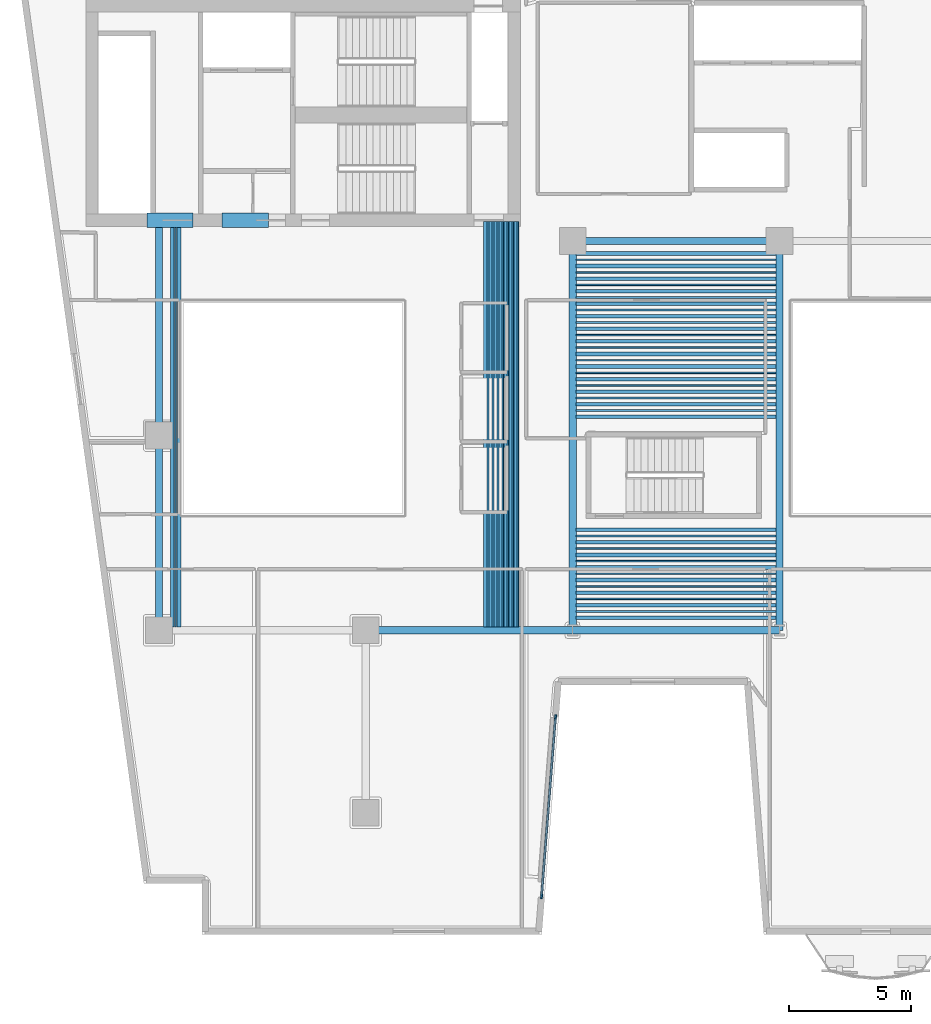
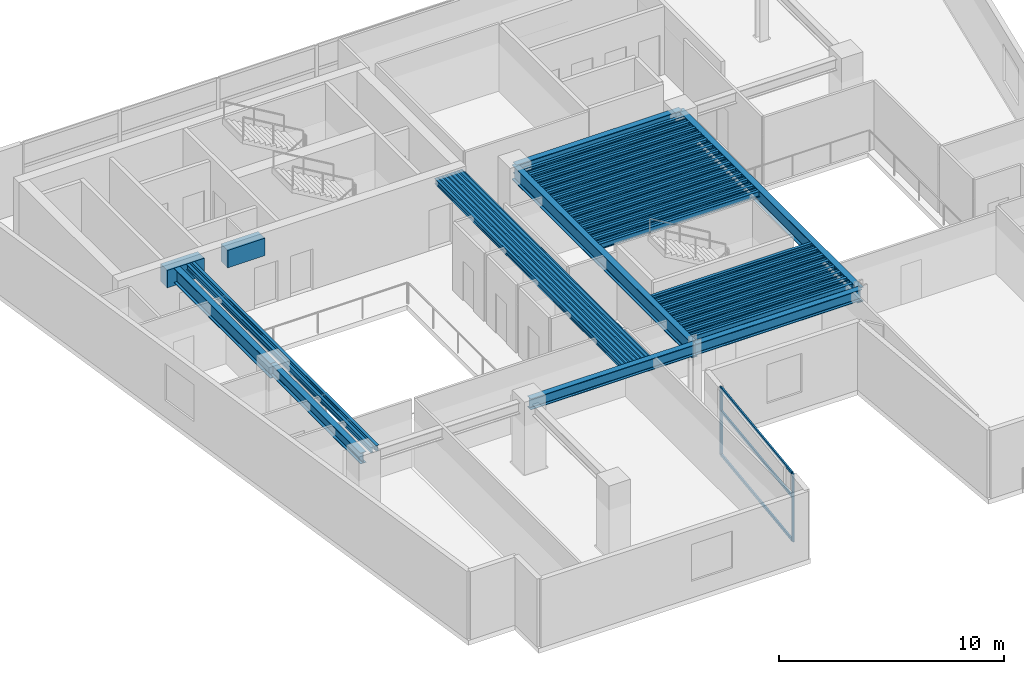
# One storey, part 2 of 13: 68 beams, 5 members, 1 element without a shape of its own.
"""IFC4 building model written with IfcOpenShell, lengths in metres."""

from ifc_helpers import new_model, si_unit, direction, frame, origin, origin_2d, place, context, subcontext, project, spatial, rectangle, hollow_rectangle, i_section, extrude, material, layer, layer_set, material_profile, profile_set, type_object, element, aggregate, save


model = new_model("IFC4")

# Units and contexts
model_context = context("Model", 3, precision=1e-05, world=origin(), true_north=direction((0.0, 1.0)))
body_context = subcontext(model_context, "Body", "Model", "MODEL_VIEW")
ifc_project = project(units=[si_unit("LENGTHUNIT", "METRE"), si_unit("AREAUNIT", "SQUARE_METRE"), si_unit("VOLUMEUNIT", "CUBIC_METRE"), si_unit("PLANEANGLEUNIT", "RADIAN"), si_unit("MASSUNIT", "GRAM", prefix="KILO")], contexts=[model_context])

# Site, building, storey
site_placement = place(None, origin())
site = spatial("IfcSite", under=ifc_project, at=site_placement, CompositionType="ELEMENT")
building_placement = place(site_placement, origin())
building = spatial("IfcBuilding", under=site, at=building_placement, Name="Caeloran Harvest Quay", CompositionType="ELEMENT")
storey_placement = place(building_placement, frame((0.0, 0.0, 131.14990234375)))
storey = spatial("IfcBuildingStorey", under=building, at=storey_placement, Name="L30", CompositionType="ELEMENT", Elevation=131.14990234375)

# Beams
ifc_material_1 = material(Name="Concrete C60/75", Category="concrete")
ifc_material_profile_1 = material_profile(ifc_material_1, rectangle(XDim=0.60009765625, YDim=0.949951171875, at=origin_2d()), Name="RC 600x950")
ifc_profile_set_1 = profile_set([ifc_material_profile_1], Name="Concrete C60/75")
beam_type_1 = type_object("IfcBeamType", Name="BM-CB-2-RC_600x950", PredefinedType="LINTEL", material=ifc_profile_set_1)
for number, where, z_axis, x_axis, name in (
    (1, (8.0, 31.85009765625, 3.215087890625), (1.0, 0.0, 0.0), (0.0, 1.0, 0.0), "L30 Core Coupling Beam 1"),
    (2, (11.10009765625, 31.85009765625, 3.215087890625), (1.0, 0.0, 0.0), (0.0, 1.0, 0.0), "L30 Core Coupling Beam 2"),
):
    element("IfcBeam", number, at=place(storey_placement, frame(where, z_axis=z_axis, x_axis=x_axis)), inside=storey, type_object=beam_type_1, Name=name, PredefinedType="LINTEL", context=body_context, shape_type="SweptSolid", body=[
        extrude(rectangle(XDim=0.60009765625, YDim=0.949951171875, at=origin_2d()), origin(), (0.0, 0.0, 1.0), 1.89990234375),
    ])
ifc_material_2 = material(Name="Steel S355J2", Category="steel")
ifc_material_profile_2 = material_profile(ifc_material_2, i_section(OverallWidth=0.300048828125, OverallDepth=0.800048828125, WebThickness=0.017578125, FlangeThickness=0.032958984375, FilletRadius=0.030029296875, at=origin_2d()), Name="HE 800 B")
ifc_profile_set_2 = profile_set([ifc_material_profile_2], Name="Steel S355J2")
beam_type_2 = type_object("IfcBeamType", Name="BM-PG-1-HE_800_B", PredefinedType="BEAM", material=ifc_profile_set_2)
beam_1_placement = place(storey_placement, frame((8.5, 23.0, 3.2900390625), z_axis=(0.0, 1.0, 0.0), x_axis=(-1.0, 0.0, 0.0)))
element("IfcBeam", 3, at=beam_1_placement, inside=storey, type_object=beam_type_2, Name="L30 Core South Tie Girder X=8.5", PredefinedType="BEAM", context=body_context, shape_type="SweptSolid", body=[
    extrude(i_section(OverallWidth=0.300048828125, OverallDepth=0.800048828125, WebThickness=0.017578125, FlangeThickness=0.032958984375, FilletRadius=0.030029296875, at=origin_2d()), origin(), (0.0, 0.0, 1.0), 8.800048828125),
])
for number, where, z_axis, x_axis, name in (
    (4, (25.5, 15.0, 3.2900390625), (0.0, 1.0, 0.0), (-1.0, 0.0, 0.0), "L30 Primary North-South Girder X=25.5"),
    (5, (34.0, 15.0, 3.2900390625), (0.0, 1.0, 0.0), (-1.0, 0.0, 0.0), "L30 Primary North-South Girder X=34.0"),
):
    element("IfcBeam", number, at=place(storey_placement, frame(where, z_axis=z_axis, x_axis=x_axis)), inside=storey, type_object=beam_type_2, Name=name, PredefinedType="BEAM", context=body_context, shape_type="SweptSolid", body=[
        extrude(i_section(OverallWidth=0.300048828125, OverallDepth=0.800048828125, WebThickness=0.017578125, FlangeThickness=0.032958984375, FilletRadius=0.030029296875, at=origin_2d()), origin(), (0.0, 0.0, 1.0), 16.0),
    ])
ifc_material_profile_3 = material_profile(ifc_material_2, i_section(OverallWidth=0.300048828125, OverallDepth=0.60009765625, WebThickness=0.015380859375, FlangeThickness=0.030029296875, FilletRadius=0.027099609375, at=origin_2d()), Name="HE 600 B")
ifc_profile_set_3 = profile_set([ifc_material_profile_3], Name="Steel S355J2")
beam_type_3 = type_object("IfcBeamType", Name="BM-PG-3-HE_600_B", PredefinedType="BEAM", material=ifc_profile_set_3)
for number, where, z_axis, x_axis, name in (
    (6, (17.0, 15.0, 3.39013671875), (1.0, 0.0, 0.0), (0.0, 1.0, 0.0), "L30 Primary East-West Girder Y=15.0"),
    (7, (25.5, 15.0, 3.39013671875), (1.0, 0.0, 0.0), (0.0, 1.0, 0.0), "L30 Primary East-West Girder Y=15.0"),
    (8, (25.5, 31.0, 3.39013671875), (1.0, 0.0, 0.0), (0.0, 1.0, 0.0), "L30 Primary East-West Girder Y=31.0"),
):
    element("IfcBeam", number, at=place(storey_placement, frame(where, z_axis=z_axis, x_axis=x_axis)), inside=storey, type_object=beam_type_3, Name=name, PredefinedType="BEAM", context=body_context, shape_type="SweptSolid", body=[
        extrude(i_section(OverallWidth=0.300048828125, OverallDepth=0.60009765625, WebThickness=0.015380859375, FlangeThickness=0.030029296875, FilletRadius=0.027099609375, at=origin_2d()), origin(), (0.0, 0.0, 1.0), 8.5),
    ])
beam_2_placement = place(storey_placement, frame((8.5, 15.0, 3.39013671875), z_axis=(0.0, 1.0, 0.0), x_axis=(-1.0, 0.0, 0.0)))
element("IfcBeam", 9, at=beam_2_placement, inside=storey, type_object=beam_type_3, Name="L30 Primary North-South Girder X=8.5", PredefinedType="BEAM", context=body_context, shape_type="SweptSolid", body=[
    extrude(i_section(OverallWidth=0.300048828125, OverallDepth=0.60009765625, WebThickness=0.015380859375, FlangeThickness=0.030029296875, FilletRadius=0.027099609375, at=origin_2d()), origin(), (0.0, 0.0, 1.0), 8.0),
])
ifc_material_profile_4 = material_profile(ifc_material_2, i_section(OverallWidth=0.14990234375, OverallDepth=0.300048828125, WebThickness=0.007080078125, FlangeThickness=0.0107421875, FilletRadius=0.014892578125, at=origin_2d()), Name="IPE 300")
ifc_profile_set_4 = profile_set([ifc_material_profile_4], Name="Steel S355J2")
beam_type_4 = type_object("IfcBeamType", Name="BM-SB-6-IPE_300", PredefinedType="JOIST", material=ifc_profile_set_4)
for number, where, z_axis, x_axis, name in (
    (10, (9.04833984375, 15.14501953125, 3.5400390625), (0.0, 1.0, 0.0), (-1.0, 0.0, 0.0), "L30 Secondary Composite Joist"),
    (11, (9.322509765625, 15.14501953125, 3.5400390625), (0.0, 1.0, 0.0), (-1.0, 0.0, 0.0), "L30 Secondary Composite Joist"),
    (12, (21.916015625, 15.14501953125, 3.5400390625), (0.0, 1.0, 0.0), (-1.0, 0.0, 0.0), "L30 Secondary Composite Joist"),
    (13, (22.12109375, 15.14501953125, 3.5400390625), (0.0, 1.0, 0.0), (-1.0, 0.0, 0.0), "L30 Secondary Composite Joist"),
    (14, (22.32568359375, 15.14501953125, 3.5400390625), (0.0, 1.0, 0.0), (-1.0, 0.0, 0.0), "L30 Secondary Composite Joist"),
    (15, (22.530517578125, 15.14501953125, 3.5400390625), (0.0, 1.0, 0.0), (-1.0, 0.0, 0.0), "L30 Secondary Composite Joist"),
    (16, (22.735595703125, 15.14501953125, 3.5400390625), (0.0, 1.0, 0.0), (-1.0, 0.0, 0.0), "L30 Secondary Composite Joist"),
    (17, (22.940185546875, 15.14501953125, 3.5400390625), (0.0, 1.0, 0.0), (-1.0, 0.0, 0.0), "L30 Secondary Composite Joist"),
    (18, (23.145263671875, 15.14501953125, 3.5400390625), (0.0, 1.0, 0.0), (-1.0, 0.0, 0.0), "L30 Secondary Composite Joist"),
):
    element("IfcBeam", number, at=place(storey_placement, frame(where, z_axis=z_axis, x_axis=x_axis)), inside=storey, type_object=beam_type_4, Name=name, PredefinedType="JOIST", context=body_context, shape_type="SweptSolid", body=[
        extrude(i_section(OverallWidth=0.14990234375, OverallDepth=0.300048828125, WebThickness=0.007080078125, FlangeThickness=0.0107421875, FilletRadius=0.014892578125, at=origin_2d()), origin(), (0.0, 0.0, 1.0), 16.655029296875),
    ])
for number, where, z_axis, x_axis, name in (
    (19, (25.64501953125, 15.51611328125, 3.5400390625), (1.0, 0.0, 0.0), (0.0, 1.0, 0.0), "L30 Secondary East-West Composite Joist"),
    (20, (25.64501953125, 16.0322265625, 3.5400390625), (1.0, 0.0, 0.0), (0.0, 1.0, 0.0), "L30 Secondary East-West Composite Joist"),
    (21, (25.64501953125, 16.54833984375, 3.5400390625), (1.0, 0.0, 0.0), (0.0, 1.0, 0.0), "L30 Secondary East-West Composite Joist"),
    (22, (25.64501953125, 17.064453125, 3.5400390625), (1.0, 0.0, 0.0), (0.0, 1.0, 0.0), "L30 Secondary East-West Composite Joist"),
    (23, (25.64501953125, 17.58056640625, 3.5400390625), (1.0, 0.0, 0.0), (0.0, 1.0, 0.0), "L30 Secondary East-West Composite Joist"),
    (24, (25.64501953125, 18.0966796875, 3.5400390625), (1.0, 0.0, 0.0), (0.0, 1.0, 0.0), "L30 Secondary East-West Composite Joist"),
    (25, (25.64501953125, 18.61279296875, 3.5400390625), (1.0, 0.0, 0.0), (0.0, 1.0, 0.0), "L30 Secondary East-West Composite Joist"),
    (26, (25.64501953125, 19.12890625, 3.5400390625), (1.0, 0.0, 0.0), (0.0, 1.0, 0.0), "L30 Secondary East-West Composite Joist"),
    (27, (25.64501953125, 23.774169921875, 3.5400390625), (1.0, 0.0, 0.0), (0.0, 1.0, 0.0), "L30 Secondary East-West Composite Joist"),
    (28, (25.64501953125, 24.290283203125, 3.5400390625), (1.0, 0.0, 0.0), (0.0, 1.0, 0.0), "L30 Secondary East-West Composite Joist"),
    (29, (25.64501953125, 24.806396484375, 3.5400390625), (1.0, 0.0, 0.0), (0.0, 1.0, 0.0), "L30 Secondary East-West Composite Joist"),
    (30, (25.64501953125, 25.322509765625, 3.5400390625), (1.0, 0.0, 0.0), (0.0, 1.0, 0.0), "L30 Secondary East-West Composite Joist"),
    (31, (25.64501953125, 25.838623046875, 3.5400390625), (1.0, 0.0, 0.0), (0.0, 1.0, 0.0), "L30 Secondary East-West Composite Joist"),
    (32, (25.64501953125, 26.354736328125, 3.5400390625), (1.0, 0.0, 0.0), (0.0, 1.0, 0.0), "L30 Secondary East-West Composite Joist"),
    (33, (25.64501953125, 26.87109375, 3.5400390625), (1.0, 0.0, 0.0), (0.0, 1.0, 0.0), "L30 Secondary East-West Composite Joist"),
    (34, (25.64501953125, 27.38720703125, 3.5400390625), (1.0, 0.0, 0.0), (0.0, 1.0, 0.0), "L30 Secondary East-West Composite Joist"),
    (35, (25.64501953125, 27.9033203125, 3.5400390625), (1.0, 0.0, 0.0), (0.0, 1.0, 0.0), "L30 Secondary East-West Composite Joist"),
    (36, (25.64501953125, 28.41943359375, 3.5400390625), (1.0, 0.0, 0.0), (0.0, 1.0, 0.0), "L30 Secondary East-West Composite Joist"),
    (37, (25.64501953125, 28.935546875, 3.5400390625), (1.0, 0.0, 0.0), (0.0, 1.0, 0.0), "L30 Secondary East-West Composite Joist"),
    (38, (25.64501953125, 29.45166015625, 3.5400390625), (1.0, 0.0, 0.0), (0.0, 1.0, 0.0), "L30 Secondary East-West Composite Joist"),
    (39, (25.64501953125, 29.9677734375, 3.5400390625), (1.0, 0.0, 0.0), (0.0, 1.0, 0.0), "L30 Secondary East-West Composite Joist"),
    (40, (25.64501953125, 30.48388671875, 3.5400390625), (1.0, 0.0, 0.0), (0.0, 1.0, 0.0), "L30 Secondary East-West Composite Joist"),
):
    element("IfcBeam", number, at=place(storey_placement, frame(where, z_axis=z_axis, x_axis=x_axis)), inside=storey, type_object=beam_type_4, Name=name, PredefinedType="JOIST", context=body_context, shape_type="SweptSolid", body=[
        extrude(i_section(OverallWidth=0.14990234375, OverallDepth=0.300048828125, WebThickness=0.007080078125, FlangeThickness=0.0107421875, FilletRadius=0.014892578125, at=origin_2d()), origin(), (0.0, 0.0, 1.0), 8.2099609375),
    ])
ifc_material_profile_5 = material_profile(ifc_material_2, hollow_rectangle(XDim=0.080078125, YDim=0.199951171875, WallThickness=0.006103515625, InnerFilletRadius=0.006103515625, OuterFilletRadius=0.009033203125, at=origin_2d()), Name="RHS 200x80x6")
ifc_profile_set_5 = profile_set([ifc_material_profile_5], Name="Steel S355J2")
beam_type_5 = type_object("IfcBeamType", Name="BM-SB-7-RHS_200x80x6", PredefinedType="JOIST", material=ifc_profile_set_5)
for number, where, z_axis, x_axis, name in (
    (41, (9.185546875, 15.14501953125, 3.590087890625), (0.0, 1.0, 0.0), (-1.0, 0.0, 0.0), "L30 Secondary Composite Joist"),
    (42, (22.0185546875, 15.14501953125, 3.590087890625), (0.0, 1.0, 0.0), (-1.0, 0.0, 0.0), "L30 Secondary Composite Joist"),
    (43, (22.223388671875, 15.14501953125, 3.590087890625), (0.0, 1.0, 0.0), (-1.0, 0.0, 0.0), "L30 Secondary Composite Joist"),
    (44, (22.42822265625, 15.14501953125, 3.590087890625), (0.0, 1.0, 0.0), (-1.0, 0.0, 0.0), "L30 Secondary Composite Joist"),
    (45, (22.633056640625, 15.14501953125, 3.590087890625), (0.0, 1.0, 0.0), (-1.0, 0.0, 0.0), "L30 Secondary Composite Joist"),
    (46, (22.837890625, 15.14501953125, 3.590087890625), (0.0, 1.0, 0.0), (-1.0, 0.0, 0.0), "L30 Secondary Composite Joist"),
    (47, (23.042724609375, 15.14501953125, 3.590087890625), (0.0, 1.0, 0.0), (-1.0, 0.0, 0.0), "L30 Secondary Composite Joist"),
    (48, (23.24755859375, 15.14501953125, 3.590087890625), (0.0, 1.0, 0.0), (-1.0, 0.0, 0.0), "L30 Secondary Composite Joist"),
):
    element("IfcBeam", number, at=place(storey_placement, frame(where, z_axis=z_axis, x_axis=x_axis)), inside=storey, type_object=beam_type_5, Name=name, PredefinedType="JOIST", context=body_context, shape_type="SweptSolid", body=[
        extrude(hollow_rectangle(XDim=0.080078125, YDim=0.199951171875, WallThickness=0.006103515625, InnerFilletRadius=0.006103515625, OuterFilletRadius=0.009033203125, at=origin_2d()), origin(), (0.0, 0.0, 1.0), 16.655029296875),
    ])
for number, where, z_axis, x_axis, name in (
    (49, (25.64501953125, 15.774169921875, 3.590087890625), (1.0, 0.0, 0.0), (0.0, 1.0, 0.0), "L30 Secondary East-West Composite Joist"),
    (50, (25.64501953125, 16.290283203125, 3.590087890625), (1.0, 0.0, 0.0), (0.0, 1.0, 0.0), "L30 Secondary East-West Composite Joist"),
    (51, (25.64501953125, 16.806396484375, 3.590087890625), (1.0, 0.0, 0.0), (0.0, 1.0, 0.0), "L30 Secondary East-West Composite Joist"),
    (52, (25.64501953125, 17.322509765625, 3.590087890625), (1.0, 0.0, 0.0), (0.0, 1.0, 0.0), "L30 Secondary East-West Composite Joist"),
    (53, (25.64501953125, 17.838623046875, 3.590087890625), (1.0, 0.0, 0.0), (0.0, 1.0, 0.0), "L30 Secondary East-West Composite Joist"),
    (54, (25.64501953125, 18.354736328125, 3.590087890625), (1.0, 0.0, 0.0), (0.0, 1.0, 0.0), "L30 Secondary East-West Composite Joist"),
    (55, (25.64501953125, 18.87109375, 3.590087890625), (1.0, 0.0, 0.0), (0.0, 1.0, 0.0), "L30 Secondary East-West Composite Joist"),
    (56, (25.64501953125, 24.0322265625, 3.590087890625), (1.0, 0.0, 0.0), (0.0, 1.0, 0.0), "L30 Secondary East-West Composite Joist"),
    (57, (25.64501953125, 24.54833984375, 3.590087890625), (1.0, 0.0, 0.0), (0.0, 1.0, 0.0), "L30 Secondary East-West Composite Joist"),
    (58, (25.64501953125, 25.064453125, 3.590087890625), (1.0, 0.0, 0.0), (0.0, 1.0, 0.0), "L30 Secondary East-West Composite Joist"),
    (59, (25.64501953125, 25.58056640625, 3.590087890625), (1.0, 0.0, 0.0), (0.0, 1.0, 0.0), "L30 Secondary East-West Composite Joist"),
    (60, (25.64501953125, 26.0966796875, 3.590087890625), (1.0, 0.0, 0.0), (0.0, 1.0, 0.0), "L30 Secondary East-West Composite Joist"),
    (61, (25.64501953125, 26.61279296875, 3.590087890625), (1.0, 0.0, 0.0), (0.0, 1.0, 0.0), "L30 Secondary East-West Composite Joist"),
    (62, (25.64501953125, 27.12890625, 3.590087890625), (1.0, 0.0, 0.0), (0.0, 1.0, 0.0), "L30 Secondary East-West Composite Joist"),
    (63, (25.64501953125, 27.645263671875, 3.590087890625), (1.0, 0.0, 0.0), (0.0, 1.0, 0.0), "L30 Secondary East-West Composite Joist"),
    (64, (25.64501953125, 28.161376953125, 3.590087890625), (1.0, 0.0, 0.0), (0.0, 1.0, 0.0), "L30 Secondary East-West Composite Joist"),
    (65, (25.64501953125, 28.677490234375, 3.590087890625), (1.0, 0.0, 0.0), (0.0, 1.0, 0.0), "L30 Secondary East-West Composite Joist"),
    (66, (25.64501953125, 29.193603515625, 3.590087890625), (1.0, 0.0, 0.0), (0.0, 1.0, 0.0), "L30 Secondary East-West Composite Joist"),
    (67, (25.64501953125, 29.709716796875, 3.590087890625), (1.0, 0.0, 0.0), (0.0, 1.0, 0.0), "L30 Secondary East-West Composite Joist"),
    (68, (25.64501953125, 30.225830078125, 3.590087890625), (1.0, 0.0, 0.0), (0.0, 1.0, 0.0), "L30 Secondary East-West Composite Joist"),
):
    element("IfcBeam", number, at=place(storey_placement, frame(where, z_axis=z_axis, x_axis=x_axis)), inside=storey, type_object=beam_type_5, Name=name, PredefinedType="JOIST", context=body_context, shape_type="SweptSolid", body=[
        extrude(hollow_rectangle(XDim=0.080078125, YDim=0.199951171875, WallThickness=0.006103515625, InnerFilletRadius=0.006103515625, OuterFilletRadius=0.009033203125, at=origin_2d()), origin(), (0.0, 0.0, 1.0), 8.2099609375),
    ])

# Curtain wall, members
ifc_material_3 = material(Name="Aluminium 6063-T6 and Low-E Glazing", Category="aluminium")
ifc_layer = layer(ifc_material_3, 0.18994140625, Name="Aluminium 6063-T6 and Low-E Glazing")
ifc_layer_set = layer_set([ifc_layer], Name="Aluminium 6063-T6 and Low-E Glazing")
curtain_wall_type = type_object("IfcCurtainWallType", Name="CW-SYS-CW-3", PredefinedType="USERDEFINED", material=ifc_layer_set)
curtain_wall_placement = place(storey_placement, origin())
curtain_wall = element("IfcCurtainWall", 69, at=curtain_wall_placement, inside=storey, type_object=curtain_wall_type, Name="L30 Unitised Curtain Wall CW-3 Run 15", ObjectType="CURTAIN_WALL", PredefinedType="USERDEFINED")
ifc_material_4 = material(Name="Aluminium 6063-T6", Category="aluminium")
ifc_material_profile_6 = material_profile(ifc_material_4, rectangle(XDim=0.080078125, YDim=0.179931640625, at=origin_2d()), Name="CW-MULLION-180")
ifc_profile_set_6 = profile_set([ifc_material_profile_6], Name="Aluminium 6063-T6")
member_type_1 = type_object("IfcMemberType", Name="CW-MULLION-180", PredefinedType="MULLION", material=ifc_profile_set_6)
member_1_placement = place(storey_placement, frame((24.7978515625, 11.4443359375, 0.0), z_axis=(0.0, 0.0, 1.0), x_axis=(0.996967280277, -0.077821861046, 0.0)))
member_1 = element("IfcMember", 70, at=member_1_placement, type_object=member_type_1, Name="CW-3 mullion 1", PredefinedType="MULLION", context=body_context, shape_type="SweptSolid", body=[
    extrude(rectangle(XDim=0.080078125, YDim=0.179931640625, at=origin_2d()), origin(), (0.0, 0.0, 1.0), 3.690185546875),
])
member_2_placement = place(storey_placement, frame((24.221923828125, 4.065673828125, 0.0), z_axis=(0.0, 0.0, 1.0), x_axis=(0.996967280277, -0.077821861046, 0.0)))
member_2 = element("IfcMember", 71, at=member_2_placement, type_object=member_type_1, Name="CW-3 mullion 2", PredefinedType="MULLION", context=body_context, shape_type="SweptSolid", body=[
    extrude(rectangle(XDim=0.080078125, YDim=0.179931640625, at=origin_2d()), origin(), (0.0, 0.0, 1.0), 3.690185546875),
])
ifc_material_profile_7 = material_profile(ifc_material_4, rectangle(XDim=0.080078125, YDim=0.14990234375, at=origin_2d()), Name="CW-TRANSOM-150")
ifc_profile_set_7 = profile_set([ifc_material_profile_7], Name="Aluminium 6063-T6")
member_type_2 = type_object("IfcMemberType", Name="CW-TRANSOM-150", PredefinedType="USERDEFINED", material=ifc_profile_set_7)
member_3_placement = place(storey_placement, frame((24.794677734375, 11.404541015625, 0.0400390625), z_axis=(-0.077831218093, -0.996966549835, 0.0), x_axis=(0.996966549835, -0.077831218093, 0.0)))
member_3 = element("IfcMember", 72, at=member_3_placement, type_object=member_type_2, Name="CW-3 transom 1.1", ObjectType="TRANSOM", PredefinedType="USERDEFINED", context=body_context, shape_type="SweptSolid", body=[
    extrude(rectangle(XDim=0.080078125, YDim=0.14990234375, at=origin_2d()), origin(), (0.0, 0.0, 1.0), 7.3212890625),
])
member_4_placement = place(storey_placement, frame((24.794677734375, 11.404541015625, 2.400146484375), z_axis=(-0.077831218093, -0.996966549835, 0.0), x_axis=(0.996966549835, -0.077831218093, 0.0)))
member_4 = element("IfcMember", 73, at=member_4_placement, type_object=member_type_2, Name="CW-3 transom 1.2", ObjectType="TRANSOM", PredefinedType="USERDEFINED", context=body_context, shape_type="SweptSolid", body=[
    extrude(rectangle(XDim=0.080078125, YDim=0.14990234375, at=origin_2d()), origin(), (0.0, 0.0, 1.0), 7.3212890625),
])
member_5_placement = place(storey_placement, frame((24.794677734375, 11.404541015625, 3.650146484375), z_axis=(-0.077831218093, -0.996966549835, 0.0), x_axis=(0.996966549835, -0.077831218093, 0.0)))
member_5 = element("IfcMember", 74, at=member_5_placement, type_object=member_type_2, Name="CW-3 transom 1.3", ObjectType="TRANSOM", PredefinedType="USERDEFINED", context=body_context, shape_type="SweptSolid", body=[
    extrude(rectangle(XDim=0.080078125, YDim=0.14990234375, at=origin_2d()), origin(), (0.0, 0.0, 1.0), 7.3212890625),
])
aggregate(curtain_wall, [member_1, member_2, member_3, member_4, member_5])

save(model, "model.ifc")
